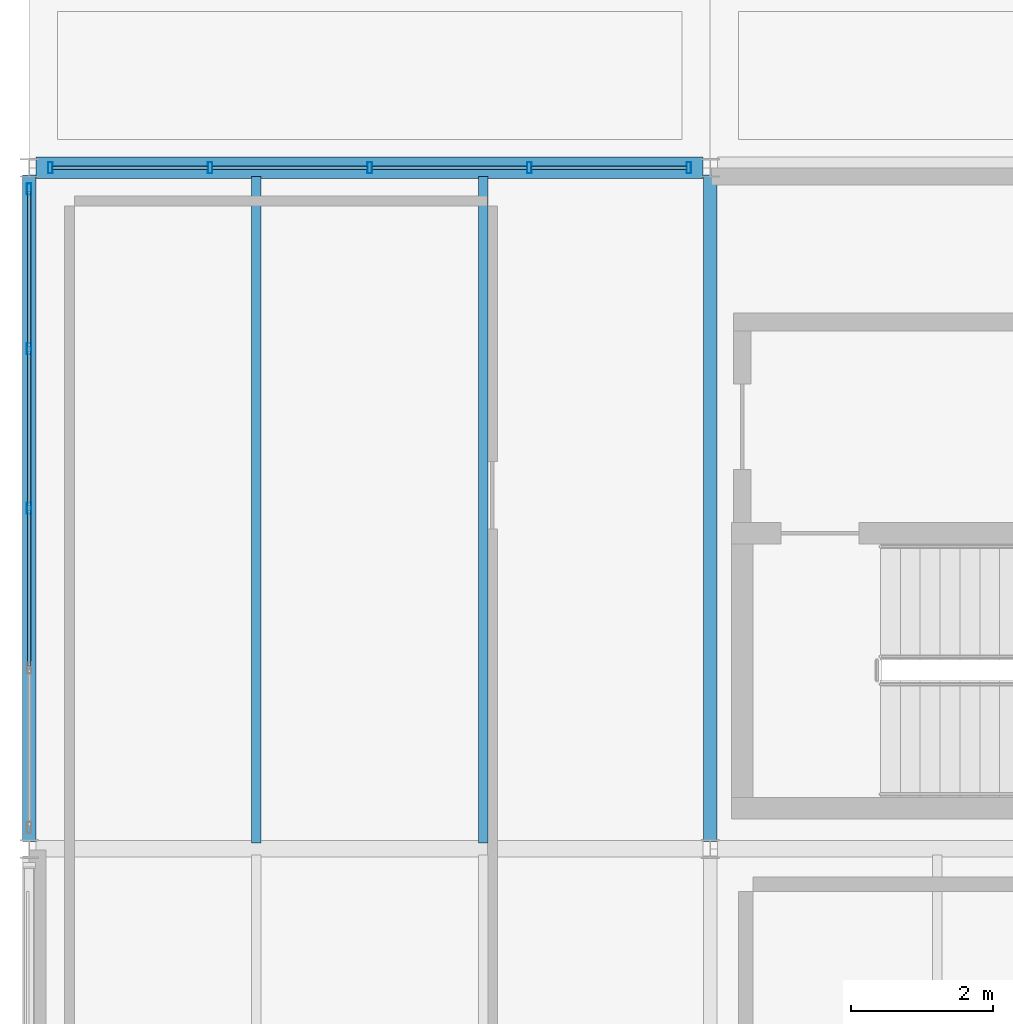
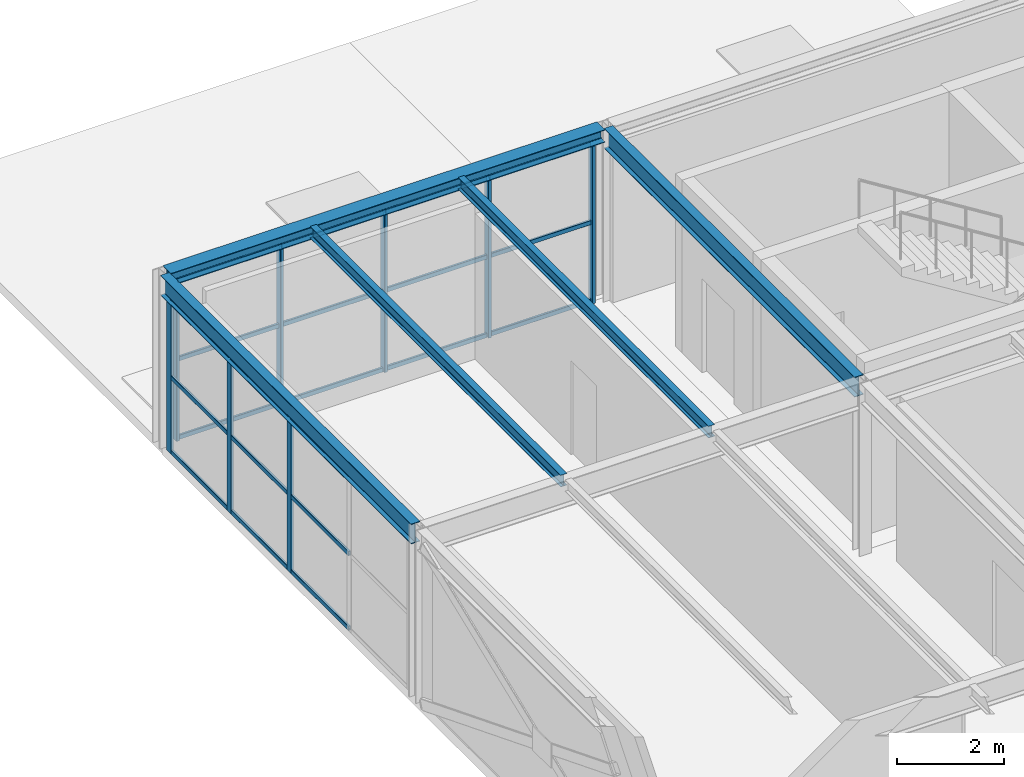
# One storey, part 28 of 39: 29 members, 5 beams, 2 elements without a shape of their own.
"""IFC4 building model written with IfcOpenShell, lengths in metres."""

import ifcopenshell
import ifcopenshell.guid

model = None  # the IFC model being written
_history = None  # IfcOwnerHistory: only IFC2X3 demands one
_inside = {}  # id of a spatial element -> (the spatial element, [elements in it])
_under = {}  # id of a project, library or spatial element -> (it, [spatial elements below it])
_declared = {}  # id of a project -> (the project, [libraries it declares])
_typed = {}  # id of a type object -> (the type object, [elements of that type])
_made_of = {}  # id of a material, layer set ... -> (it, [elements and type objects made of it])


def new_model(schema):
    """Start an empty IFC model of exactly this schema.

    Asked for "IFC4X3", IfcOpenShell would pick the latest addendum, in which some entities
    have other attributes; the version numbers below select the first issue.
    IFC2X3 requires an IfcOwnerHistory on every rooted entity: one is made here for all.
    """
    global model, _history
    if schema == "IFC4X3":
        model = ifcopenshell.file(schema_version=(4, 3, 0, 0))
    else:
        model = ifcopenshell.file(schema=schema)
    _inside.clear()
    _under.clear()
    _declared.clear()
    _typed.clear()
    _made_of.clear()
    _history = None
    if model.schema == "IFC2X3":
        org = make("IfcOrganization", Name="unknown")
        user = make(
            "IfcPersonAndOrganization",
            ThePerson=make("IfcPerson", FamilyName="unknown"),
            TheOrganization=org,
        )
        app = make(
            "IfcApplication",
            ApplicationDeveloper=org,
            Version="unknown",
            ApplicationFullName="unknown",
            ApplicationIdentifier="unknown",
        )
        _history = make(
            "IfcOwnerHistory",
            OwningUser=user,
            OwningApplication=app,
            ChangeAction="ADDED",
            CreationDate=0,
        )
    return model


def make(cls, **values):
    """One entity of the class cls with the attributes given. An attribute that is None is left unset."""
    return model.create_entity(
        cls, **{name: value for name, value in values.items() if value is not None}
    )


def rooted(cls, **values):
    """An entity with a GlobalId (a new one), such as an element, a storey or a relation."""
    return make(cls, GlobalId=ifcopenshell.guid.new(), OwnerHistory=_history, **values)


def si_unit(unit_type, name, prefix=None):
    """IfcSIUnit, for example si_unit("LENGTHUNIT", "METRE", prefix="MILLI")."""
    return make("IfcSIUnit", UnitType=unit_type, Prefix=prefix, Name=name)


def assignment(units):
    """IfcUnitAssignment: the units of a project."""
    return None if units is None else make("IfcUnitAssignment", Units=units)


def point(xyz):
    """IfcCartesianPoint."""
    return None if xyz is None else make("IfcCartesianPoint", Coordinates=xyz)


def direction(xyz):
    """IfcDirection."""
    return None if xyz is None else make("IfcDirection", DirectionRatios=xyz)


def frame(location, z_axis=None, x_axis=None):
    """IfcAxis2Placement3D, a coordinate frame: its origin and axes. An axis left out is left unset."""
    return make(
        "IfcAxis2Placement3D",
        Location=point(location),
        Axis=direction(z_axis),
        RefDirection=direction(x_axis),
    )


def frame_2d(location, x_axis=None):
    """IfcAxis2Placement2D, a coordinate frame in the plane: its origin and x axis."""
    return make(
        "IfcAxis2Placement2D", Location=point(location), RefDirection=direction(x_axis)
    )


def origin():
    """The frame at (0, 0, 0) with its axes left unset."""
    return frame((0.0, 0.0, 0.0))


def origin_2d():
    """The frame at (0, 0) in the plane with its x axis left unset."""
    return frame_2d((0.0, 0.0))


def place(relative_to, where):
    """IfcLocalPlacement: puts the frame where relative to a parent placement (None: the world)."""
    return make(
        "IfcLocalPlacement", PlacementRelTo=relative_to, RelativePlacement=where
    )


def context(
    kind, dimensions, precision=None, world=None, true_north=None, identifier=None
):
    """IfcGeometricRepresentationContext, for example the 3D "Model" context."""
    return make(
        "IfcGeometricRepresentationContext",
        ContextIdentifier=identifier,
        ContextType=kind,
        CoordinateSpaceDimension=dimensions,
        Precision=precision,
        WorldCoordinateSystem=world,
        TrueNorth=true_north,
    )


def subcontext(parent, identifier, kind, view, scale=None):
    """IfcGeometricRepresentationSubContext, for example "Body" below "Model"."""
    return make(
        "IfcGeometricRepresentationSubContext",
        ContextIdentifier=identifier,
        ContextType=kind,
        ParentContext=parent,
        TargetScale=scale,
        TargetView=view,
    )


def project(units=None, contexts=None):
    """IfcProject with its units and contexts."""
    return rooted(
        "IfcProject",
        Name="project",
        RepresentationContexts=contexts,
        UnitsInContext=assignment(units),
    )


def spatial(cls, under=None, at=None, **own):
    """A site, building, storey or space (cls), placed at a placement, below another one or the project."""
    s = rooted(cls, ObjectPlacement=at, **own)
    if under is not None:
        _under.setdefault(under.id(), (under, []))[1].append(s)
    return s


def profile(cls, at=None, kind="AREA", **sizes):
    """A parametric profile (cls). Its sizes go by their IFC names, for example OverallWidth=200.0."""
    return make(cls, ProfileType=kind, Position=at, **sizes)


def hollow_rectangle(**sizes):
    """IfcRectangleHollowProfileDef."""
    return profile("IfcRectangleHollowProfileDef", **sizes)


def i_section(**sizes):
    """IfcIShapeProfileDef."""
    return profile("IfcIShapeProfileDef", **sizes)


def extrude(swept, where, along, depth):
    """IfcExtrudedAreaSolid: the profile swept, set in the frame where, extruded along a direction by depth."""
    return make(
        "IfcExtrudedAreaSolid",
        SweptArea=swept,
        Position=where,
        ExtrudedDirection=direction(along),
        Depth=depth,
    )


def shape(context_of_items, identifier, shape_type, items):
    """IfcShapeRepresentation: the items that make up one representation, for example the "Body"."""
    return make(
        "IfcShapeRepresentation",
        ContextOfItems=context_of_items,
        RepresentationIdentifier=identifier,
        RepresentationType=shape_type,
        Items=items,
    )


def material(Name=None, Category=None):
    """IfcMaterial."""
    return make("IfcMaterial", Name=Name, Category=Category)


def material_profile(
    of_material, cross_section, Name=None, Category=None, Priority=None
):
    """IfcMaterialProfile: a cross section and its material."""
    return make(
        "IfcMaterialProfile",
        Name=Name,
        Material=of_material,
        Profile=cross_section,
        Priority=Priority,
        Category=Category,
    )


def profile_set(profiles, Name=None, composite=None):
    """IfcMaterialProfileSet."""
    return make(
        "IfcMaterialProfileSet",
        Name=Name,
        MaterialProfiles=profiles,
        CompositeProfile=composite,
    )


def made_of(thing, what):
    """Note that an element or type object is made of a material, layer set ...; save() writes the relation."""
    if what is not None:
        _made_of.setdefault(what.id(), (what, []))[1].append(thing)
    return thing


def type_object(cls, material=None, **own):
    """A type object (cls), such as IfcWallType, which elements share."""
    return made_of(rooted(cls, **own), material)


def element(
    cls,
    number,
    at=None,
    inside=None,
    cuts=None,
    type_object=None,
    material=None,
    context=None,
    identifier="Body",
    shape_type=None,
    held_by="IfcProductDefinitionShape",
    body=None,
    shapes=None,
    **own,
):
    """One element of the class cls, such as IfcWall. Its Tag is "e" and its number.

    at: its placement. inside: the storey or other place that contains it. cuts: it is an
    opening in that element (IfcRelVoidsElement). A single representation is given by context,
    identifier, shape_type and body (its items); several are given by shapes. held_by: the class
    of the entity that holds the representations. save() writes the other relations.
    """
    e = rooted(cls, Tag="e%d" % number, ObjectPlacement=at, **own)
    if body is not None:
        shapes = [shape(context, identifier, shape_type, body)]
    if shapes is not None:
        e.Representation = make(held_by, Representations=shapes)
    if inside is not None:
        _inside.setdefault(inside.id(), (inside, []))[1].append(e)
    if cuts is not None:
        rooted(
            "IfcRelVoidsElement", RelatingBuildingElement=cuts, RelatedOpeningElement=e
        )
    if type_object is not None:
        _typed.setdefault(type_object.id(), (type_object, []))[1].append(e)
    return made_of(e, material)


def aggregate(whole, parts):
    """IfcRelAggregates: a whole, such as a stair, and the parts it consists of."""
    return rooted("IfcRelAggregates", RelatingObject=whole, RelatedObjects=parts)


def save(model, path):
    """Write the relations noted so far, then the file.

    IfcRelAggregates (storeys below a building ...), IfcRelContainedInSpatialStructure (elements
    in a storey), IfcRelDefinesByType, IfcRelAssociatesMaterial and IfcRelDeclares: one each for
    every whole, place, type object, material and project.
    """
    for whole, parts in _under.values():
        aggregate(whole, parts)
    for where, things in _inside.values():
        rooted(
            "IfcRelContainedInSpatialStructure",
            RelatedElements=things,
            RelatingStructure=where,
        )
    for kind, things in _typed.values():
        rooted("IfcRelDefinesByType", RelatedObjects=things, RelatingType=kind)
    for what, things in _made_of.values():
        rooted("IfcRelAssociatesMaterial", RelatedObjects=things, RelatingMaterial=what)
    for by, libraries in _declared.values():
        rooted("IfcRelDeclares", RelatingContext=by, RelatedDefinitions=libraries)
    model.write(path)


model = new_model("IFC4")

# Units and contexts
model_context = context("Model", 3, precision=1e-05, world=origin(), true_north=direction((0.0, 1.0)))
body_context = subcontext(model_context, "Body", "Model", "MODEL_VIEW")
ifc_project = project(units=[si_unit("LENGTHUNIT", "METRE"), si_unit("AREAUNIT", "SQUARE_METRE"), si_unit("VOLUMEUNIT", "CUBIC_METRE"), si_unit("PLANEANGLEUNIT", "RADIAN"), si_unit("MASSUNIT", "GRAM", prefix="KILO")], contexts=[model_context])

# Site, building, storey
site_placement = place(None, origin())
site = spatial("IfcSite", under=ifc_project, at=site_placement, CompositionType="ELEMENT")
building_placement = place(site_placement, origin())
building = spatial("IfcBuilding", under=site, at=building_placement, Name="Coralgate Yard Interchange", CompositionType="ELEMENT")
storey_placement = place(building_placement, frame((0.0, 0.0, 18.89990234375)))
storey = spatial("IfcBuildingStorey", under=building, at=storey_placement, Name="L04", CompositionType="ELEMENT", Elevation=18.89990234375)

# Beams
ifc_material_1 = material(Name="Structural steel S355J2", Category="steel")
ifc_material_profile_1 = material_profile(ifc_material_1, i_section(OverallWidth=0.1904296875, OverallDepth=0.45703125, WebThickness=0.009033203125, FlangeThickness=0.014404296875, FilletRadius=0.01025390625, at=origin_2d()), Name="UB 457x191x74")
ifc_profile_set_1 = profile_set([ifc_material_profile_1], Name="Structural steel S355J2")
beam_type_1 = type_object("IfcBeamType", Name="BM-SB-2", PredefinedType="BEAM", material=ifc_profile_set_1)
for number, where, z_axis, x_axis, name in (
    (1, (0.0, 28.9033203125, 3.7216796875), (0.0, 1.0, 0.0), (-1.0, 0.0, 0.0), "L04 primary grid girder X0 Y3-4"),
    (2, (9.60009765625, 28.9033203125, 3.7216796875), (0.0, 1.0, 0.0), (-1.0, 0.0, 0.0), "L04 primary grid girder X1 Y3-4"),
):
    element("IfcBeam", number, at=place(storey_placement, frame(where, z_axis=z_axis, x_axis=x_axis)), inside=storey, type_object=beam_type_1, Name=name, PredefinedType="BEAM", context=body_context, shape_type="SweptSolid", body=[
        extrude(i_section(OverallWidth=0.1904296875, OverallDepth=0.45703125, WebThickness=0.009033203125, FlangeThickness=0.014404296875, FilletRadius=0.01025390625, at=origin_2d()), origin(), (0.0, 0.0, 1.0), 9.393310546875),
    ])
ifc_material_profile_2 = material_profile(ifc_material_1, i_section(OverallWidth=0.135009765625, OverallDepth=0.27001953125, WebThickness=0.006591796875, FlangeThickness=0.01025390625, FilletRadius=0.014892578125, at=origin_2d()), Name="IPE 270")
ifc_profile_set_2 = profile_set([ifc_material_profile_2], Name="Structural steel S355J2")
beam_type_2 = type_object("IfcBeamType", Name="BM-SJ-3", PredefinedType="JOIST", material=ifc_profile_set_2)
for number, where, z_axis, x_axis, name in (
    (3, (3.199951171875, 28.884033203125, 3.815185546875), (0.0, 1.0, 0.0), (-1.0, 0.0, 0.0), "L04 composite floor joist 0-3-1"),
    (4, (6.39990234375, 28.884033203125, 3.815185546875), (0.0, 1.0, 0.0), (-1.0, 0.0, 0.0), "L04 composite floor joist 0-3-2"),
):
    element("IfcBeam", number, at=place(storey_placement, frame(where, z_axis=z_axis, x_axis=x_axis)), inside=storey, type_object=beam_type_2, Name=name, PredefinedType="JOIST", context=body_context, shape_type="SweptSolid", body=[
        extrude(i_section(OverallWidth=0.135009765625, OverallDepth=0.27001953125, WebThickness=0.006591796875, FlangeThickness=0.01025390625, FilletRadius=0.014892578125, at=origin_2d()), origin(), (0.0, 0.0, 1.0), 9.39599609375),
    ])
ifc_material_profile_3 = material_profile(ifc_material_1, i_section(OverallWidth=0.300048828125, OverallDepth=0.2900390625, WebThickness=0.008544921875, FlangeThickness=0.013916015625, FilletRadius=0.027099609375, at=origin_2d()), Name="HEA 300")
ifc_profile_set_3 = profile_set([ifc_material_profile_3], Name="Structural steel S355J2")
beam_type_3 = type_object("IfcBeamType", Name="BM-SP-2", PredefinedType="SPANDREL", material=ifc_profile_set_3)
beam_placement = place(storey_placement, frame((0.099365234375, 38.39990234375, 3.80517578125), z_axis=(1.0, 0.0, 0.0), x_axis=(0.0, 1.0, 0.0)))
element("IfcBeam", 5, at=beam_placement, inside=storey, type_object=beam_type_3, Name="L04 primary grid beam Y4 X0-1", PredefinedType="SPANDREL", context=body_context, shape_type="SweptSolid", body=[
    extrude(i_section(OverallWidth=0.300048828125, OverallDepth=0.2900390625, WebThickness=0.008544921875, FlangeThickness=0.013916015625, FilletRadius=0.027099609375, at=origin_2d()), origin(), (0.0, 0.0, 1.0), 9.401123046875),
])

# Curtain wall, members
ifc_material_2 = material(Name="Anodised coastal aluminium and solar-control low-E glass", Category="aluminium")
curtain_wall_type = type_object("IfcCurtainWallType", Name="CW-CW-L04-A", PredefinedType="NOTDEFINED", material=ifc_material_2)
curtain_wall_1_placement = place(storey_placement, origin())
curtain_wall_1 = element("IfcCurtainWall", 6, at=curtain_wall_1_placement, inside=storey, type_object=curtain_wall_type, Name="L04 unitised curtain wall CW-L04-W-00-03", PredefinedType="NOTDEFINED")
ifc_material_3 = material(Name="Anodised coastal aluminium 6063-T6", Category="aluminium")
ifc_material_profile_4 = material_profile(ifc_material_3, hollow_rectangle(XDim=0.06494140625, YDim=0.159912109375, WallThickness=0.00390625, InnerFilletRadius=0.00390625, OuterFilletRadius=0.008056640625, at=origin_2d()), Name="ALU 65x160x4")
ifc_profile_set_4 = profile_set([ifc_material_profile_4], Name="Anodised coastal aluminium 6063-T6")
member_type_1 = type_object("IfcMemberType", Name="MB-MUL-160", PredefinedType="MULLION", material=ifc_profile_set_4)
member_1_placement = place(storey_placement, frame((0.0, 33.60009765625, 0.0), z_axis=(0.0, 0.0, 1.0), x_axis=(1.0, 0.0, 0.0)))
member_1 = element("IfcMember", 7, at=member_1_placement, type_object=member_type_1, Name="CW-L04-W-00-03 vertical mullion 3", PredefinedType="MULLION", context=body_context, shape_type="SweptSolid", body=[
    extrude(hollow_rectangle(XDim=0.06494140625, YDim=0.159912109375, WallThickness=0.00390625, InnerFilletRadius=0.00390625, OuterFilletRadius=0.008056640625, at=origin_2d()), origin(), (0.0, 0.0, 1.0), 3.4931640625),
])
member_2_placement = place(storey_placement, frame((0.0, 35.85009765625, 0.0), z_axis=(0.0, 0.0, 1.0), x_axis=(1.0, 0.0, 0.0)))
member_2 = element("IfcMember", 8, at=member_2_placement, type_object=member_type_1, Name="CW-L04-W-00-03 vertical mullion 4", PredefinedType="MULLION", context=body_context, shape_type="SweptSolid", body=[
    extrude(hollow_rectangle(XDim=0.06494140625, YDim=0.159912109375, WallThickness=0.00390625, InnerFilletRadius=0.00390625, OuterFilletRadius=0.008056640625, at=origin_2d()), origin(), (0.0, 0.0, 1.0), 3.4931640625),
])
member_3_placement = place(storey_placement, frame((0.0, 38.10009765625, 0.0), z_axis=(0.0, 0.0, 1.0), x_axis=(1.0, 0.0, 0.0)))
member_3 = element("IfcMember", 9, at=member_3_placement, type_object=member_type_1, Name="CW-L04-W-00-03 vertical mullion 5", PredefinedType="MULLION", context=body_context, shape_type="SweptSolid", body=[
    extrude(hollow_rectangle(XDim=0.06494140625, YDim=0.159912109375, WallThickness=0.00390625, InnerFilletRadius=0.00390625, OuterFilletRadius=0.008056640625, at=origin_2d()), origin(), (0.0, 0.0, 1.0), 3.4931640625),
])

curtain_wall_2_placement = place(storey_placement, origin())
curtain_wall_2 = element("IfcCurtainWall", 10, at=curtain_wall_2_placement, inside=storey, type_object=curtain_wall_type, Name="L04 unitised curtain wall CW-L04-N-00-03", PredefinedType="NOTDEFINED")
member_4_placement = place(storey_placement, frame((0.300048828125, 38.39990234375, 0.0), z_axis=(0.0, 0.0, 1.0), x_axis=(1.0, 0.0, 0.0)))
member_4 = element("IfcMember", 11, at=member_4_placement, type_object=member_type_1, Name="CW-L04-N-00-03 vertical mullion 1", PredefinedType="MULLION", context=body_context, shape_type="SweptSolid", body=[
    extrude(hollow_rectangle(XDim=0.06494140625, YDim=0.159912109375, WallThickness=0.00390625, InnerFilletRadius=0.00390625, OuterFilletRadius=0.008056640625, at=origin_2d()), origin(), (0.0, 0.0, 1.0), 3.66015625),
])
member_5_placement = place(storey_placement, frame((2.550048828125, 38.39990234375, 0.0), z_axis=(0.0, 0.0, 1.0), x_axis=(1.0, 0.0, 0.0)))
member_5 = element("IfcMember", 12, at=member_5_placement, type_object=member_type_1, Name="CW-L04-N-00-03 vertical mullion 2", PredefinedType="MULLION", context=body_context, shape_type="SweptSolid", body=[
    extrude(hollow_rectangle(XDim=0.06494140625, YDim=0.159912109375, WallThickness=0.00390625, InnerFilletRadius=0.00390625, OuterFilletRadius=0.008056640625, at=origin_2d()), origin(), (0.0, 0.0, 1.0), 3.66015625),
])
member_6_placement = place(storey_placement, frame((4.800048828125, 38.39990234375, 0.0), z_axis=(0.0, 0.0, 1.0), x_axis=(1.0, 0.0, 0.0)))
member_6 = element("IfcMember", 13, at=member_6_placement, type_object=member_type_1, Name="CW-L04-N-00-03 vertical mullion 3", PredefinedType="MULLION", context=body_context, shape_type="SweptSolid", body=[
    extrude(hollow_rectangle(XDim=0.06494140625, YDim=0.159912109375, WallThickness=0.00390625, InnerFilletRadius=0.00390625, OuterFilletRadius=0.008056640625, at=origin_2d()), origin(), (0.0, 0.0, 1.0), 3.66015625),
])
member_7_placement = place(storey_placement, frame((7.050048828125, 38.39990234375, 0.0), z_axis=(0.0, 0.0, 1.0), x_axis=(1.0, 0.0, 0.0)))
member_7 = element("IfcMember", 14, at=member_7_placement, type_object=member_type_1, Name="CW-L04-N-00-03 vertical mullion 4", PredefinedType="MULLION", context=body_context, shape_type="SweptSolid", body=[
    extrude(hollow_rectangle(XDim=0.06494140625, YDim=0.159912109375, WallThickness=0.00390625, InnerFilletRadius=0.00390625, OuterFilletRadius=0.008056640625, at=origin_2d()), origin(), (0.0, 0.0, 1.0), 3.66015625),
])
member_8_placement = place(storey_placement, frame((9.300048828125, 38.39990234375, 0.0), z_axis=(0.0, 0.0, 1.0), x_axis=(1.0, 0.0, 0.0)))
member_8 = element("IfcMember", 15, at=member_8_placement, type_object=member_type_1, Name="CW-L04-N-00-03 vertical mullion 5", PredefinedType="MULLION", context=body_context, shape_type="SweptSolid", body=[
    extrude(hollow_rectangle(XDim=0.06494140625, YDim=0.159912109375, WallThickness=0.00390625, InnerFilletRadius=0.00390625, OuterFilletRadius=0.008056640625, at=origin_2d()), origin(), (0.0, 0.0, 1.0), 3.66015625),
])

# Member
ifc_material_profile_5 = material_profile(ifc_material_3, hollow_rectangle(XDim=0.050048828125, YDim=0.10009765625, WallThickness=0.0029296875, InnerFilletRadius=0.0029296875, OuterFilletRadius=0.006103515625, at=origin_2d()), Name="ALU 50x100x3")
ifc_profile_set_5 = profile_set([ifc_material_profile_5], Name="Anodised coastal aluminium 6063-T6")
member_type_2 = type_object("IfcMemberType", Name="MB-TRN-100", PredefinedType="USERDEFINED", material=ifc_profile_set_5)
member_9_placement = place(storey_placement, frame((0.0, 31.3798828125, 0.03515625), z_axis=(0.0, 1.0, 0.0), x_axis=(-1.0, 0.0, 0.0)))
member_9 = element("IfcMember", 16, at=member_9_placement, type_object=member_type_2, Name="CW-L04-W-00-03 horizontal transom 2-1", ObjectType="TRANSOM", PredefinedType="USERDEFINED", context=body_context, shape_type="SweptSolid", body=[
    extrude(hollow_rectangle(XDim=0.050048828125, YDim=0.10009765625, WallThickness=0.0029296875, InnerFilletRadius=0.0029296875, OuterFilletRadius=0.006103515625, at=origin_2d()), origin(), (0.0, 0.0, 1.0), 2.190185546875),
])

member_10_placement = place(storey_placement, frame((0.0, 31.3798828125, 1.74658203125), z_axis=(0.0, 1.0, 0.0), x_axis=(-1.0, 0.0, 0.0)))
member_10 = element("IfcMember", 17, at=member_10_placement, type_object=member_type_2, Name="CW-L04-W-00-03 horizontal transom 2-2", ObjectType="TRANSOM", PredefinedType="USERDEFINED", context=body_context, shape_type="SweptSolid", body=[
    extrude(hollow_rectangle(XDim=0.050048828125, YDim=0.10009765625, WallThickness=0.0029296875, InnerFilletRadius=0.0029296875, OuterFilletRadius=0.006103515625, at=origin_2d()), origin(), (0.0, 0.0, 1.0), 2.190185546875),
])

member_11_placement = place(storey_placement, frame((0.0, 31.3798828125, 3.4580078125), z_axis=(0.0, 1.0, 0.0), x_axis=(-1.0, 0.0, 0.0)))
member_11 = element("IfcMember", 18, at=member_11_placement, type_object=member_type_2, Name="CW-L04-W-00-03 horizontal transom 2-3", ObjectType="TRANSOM", PredefinedType="USERDEFINED", context=body_context, shape_type="SweptSolid", body=[
    extrude(hollow_rectangle(XDim=0.050048828125, YDim=0.10009765625, WallThickness=0.0029296875, InnerFilletRadius=0.0029296875, OuterFilletRadius=0.006103515625, at=origin_2d()), origin(), (0.0, 0.0, 1.0), 2.190185546875),
])

member_12_placement = place(storey_placement, frame((0.0, 33.6298828125, 0.03515625), z_axis=(0.0, 1.0, 0.0), x_axis=(-1.0, 0.0, 0.0)))
member_12 = element("IfcMember", 19, at=member_12_placement, type_object=member_type_2, Name="CW-L04-W-00-03 horizontal transom 3-1", ObjectType="TRANSOM", PredefinedType="USERDEFINED", context=body_context, shape_type="SweptSolid", body=[
    extrude(hollow_rectangle(XDim=0.050048828125, YDim=0.10009765625, WallThickness=0.0029296875, InnerFilletRadius=0.0029296875, OuterFilletRadius=0.006103515625, at=origin_2d()), origin(), (0.0, 0.0, 1.0), 2.190185546875),
])

member_13_placement = place(storey_placement, frame((0.0, 33.6298828125, 1.74658203125), z_axis=(0.0, 1.0, 0.0), x_axis=(-1.0, 0.0, 0.0)))
member_13 = element("IfcMember", 20, at=member_13_placement, type_object=member_type_2, Name="CW-L04-W-00-03 horizontal transom 3-2", ObjectType="TRANSOM", PredefinedType="USERDEFINED", context=body_context, shape_type="SweptSolid", body=[
    extrude(hollow_rectangle(XDim=0.050048828125, YDim=0.10009765625, WallThickness=0.0029296875, InnerFilletRadius=0.0029296875, OuterFilletRadius=0.006103515625, at=origin_2d()), origin(), (0.0, 0.0, 1.0), 2.190185546875),
])

member_14_placement = place(storey_placement, frame((0.0, 33.6298828125, 3.4580078125), z_axis=(0.0, 1.0, 0.0), x_axis=(-1.0, 0.0, 0.0)))
member_14 = element("IfcMember", 21, at=member_14_placement, type_object=member_type_2, Name="CW-L04-W-00-03 horizontal transom 3-3", ObjectType="TRANSOM", PredefinedType="USERDEFINED", context=body_context, shape_type="SweptSolid", body=[
    extrude(hollow_rectangle(XDim=0.050048828125, YDim=0.10009765625, WallThickness=0.0029296875, InnerFilletRadius=0.0029296875, OuterFilletRadius=0.006103515625, at=origin_2d()), origin(), (0.0, 0.0, 1.0), 2.190185546875),
])

member_15_placement = place(storey_placement, frame((0.0, 35.8798828125, 0.03515625), z_axis=(0.0, 1.0, 0.0), x_axis=(-1.0, 0.0, 0.0)))
member_15 = element("IfcMember", 22, at=member_15_placement, type_object=member_type_2, Name="CW-L04-W-00-03 horizontal transom 4-1", ObjectType="TRANSOM", PredefinedType="USERDEFINED", context=body_context, shape_type="SweptSolid", body=[
    extrude(hollow_rectangle(XDim=0.050048828125, YDim=0.10009765625, WallThickness=0.0029296875, InnerFilletRadius=0.0029296875, OuterFilletRadius=0.006103515625, at=origin_2d()), origin(), (0.0, 0.0, 1.0), 2.190185546875),
])

member_16_placement = place(storey_placement, frame((0.0, 35.8798828125, 1.74658203125), z_axis=(0.0, 1.0, 0.0), x_axis=(-1.0, 0.0, 0.0)))
member_16 = element("IfcMember", 23, at=member_16_placement, type_object=member_type_2, Name="CW-L04-W-00-03 horizontal transom 4-2", ObjectType="TRANSOM", PredefinedType="USERDEFINED", context=body_context, shape_type="SweptSolid", body=[
    extrude(hollow_rectangle(XDim=0.050048828125, YDim=0.10009765625, WallThickness=0.0029296875, InnerFilletRadius=0.0029296875, OuterFilletRadius=0.006103515625, at=origin_2d()), origin(), (0.0, 0.0, 1.0), 2.190185546875),
])

member_17_placement = place(storey_placement, frame((0.0, 35.8798828125, 3.4580078125), z_axis=(0.0, 1.0, 0.0), x_axis=(-1.0, 0.0, 0.0)))
member_17 = element("IfcMember", 24, at=member_17_placement, type_object=member_type_2, Name="CW-L04-W-00-03 horizontal transom 4-3", ObjectType="TRANSOM", PredefinedType="USERDEFINED", context=body_context, shape_type="SweptSolid", body=[
    extrude(hollow_rectangle(XDim=0.050048828125, YDim=0.10009765625, WallThickness=0.0029296875, InnerFilletRadius=0.0029296875, OuterFilletRadius=0.006103515625, at=origin_2d()), origin(), (0.0, 0.0, 1.0), 2.190185546875),
])

aggregate(curtain_wall_1, [member_1, member_2, member_3, member_9, member_10, member_11, member_12, member_13, member_14, member_15, member_16, member_17])

member_18_placement = place(storey_placement, frame((0.330078125, 38.39990234375, 0.03515625), z_axis=(1.0, 0.0, 0.0), x_axis=(0.0, 1.0, 0.0)))
member_18 = element("IfcMember", 25, at=member_18_placement, type_object=member_type_2, Name="CW-L04-N-00-03 horizontal transom 1-1", ObjectType="TRANSOM", PredefinedType="USERDEFINED", context=body_context, shape_type="SweptSolid", body=[
    extrude(hollow_rectangle(XDim=0.050048828125, YDim=0.10009765625, WallThickness=0.0029296875, InnerFilletRadius=0.0029296875, OuterFilletRadius=0.006103515625, at=origin_2d()), origin(), (0.0, 0.0, 1.0), 2.18994140625),
])

member_19_placement = place(storey_placement, frame((0.330078125, 38.39990234375, 1.830078125), z_axis=(1.0, 0.0, 0.0), x_axis=(0.0, 1.0, 0.0)))
member_19 = element("IfcMember", 26, at=member_19_placement, type_object=member_type_2, Name="CW-L04-N-00-03 horizontal transom 1-2", ObjectType="TRANSOM", PredefinedType="USERDEFINED", context=body_context, shape_type="SweptSolid", body=[
    extrude(hollow_rectangle(XDim=0.050048828125, YDim=0.10009765625, WallThickness=0.0029296875, InnerFilletRadius=0.0029296875, OuterFilletRadius=0.006103515625, at=origin_2d()), origin(), (0.0, 0.0, 1.0), 2.18994140625),
])

member_20_placement = place(storey_placement, frame((0.330078125, 38.39990234375, 3.625), z_axis=(1.0, 0.0, 0.0), x_axis=(0.0, 1.0, 0.0)))
member_20 = element("IfcMember", 27, at=member_20_placement, type_object=member_type_2, Name="CW-L04-N-00-03 horizontal transom 1-3", ObjectType="TRANSOM", PredefinedType="USERDEFINED", context=body_context, shape_type="SweptSolid", body=[
    extrude(hollow_rectangle(XDim=0.050048828125, YDim=0.10009765625, WallThickness=0.0029296875, InnerFilletRadius=0.0029296875, OuterFilletRadius=0.006103515625, at=origin_2d()), origin(), (0.0, 0.0, 1.0), 2.18994140625),
])

member_21_placement = place(storey_placement, frame((2.580078125, 38.39990234375, 0.03515625), z_axis=(1.0, 0.0, 0.0), x_axis=(0.0, 1.0, 0.0)))
member_21 = element("IfcMember", 28, at=member_21_placement, type_object=member_type_2, Name="CW-L04-N-00-03 horizontal transom 2-1", ObjectType="TRANSOM", PredefinedType="USERDEFINED", context=body_context, shape_type="SweptSolid", body=[
    extrude(hollow_rectangle(XDim=0.050048828125, YDim=0.10009765625, WallThickness=0.0029296875, InnerFilletRadius=0.0029296875, OuterFilletRadius=0.006103515625, at=origin_2d()), origin(), (0.0, 0.0, 1.0), 2.18994140625),
])

member_22_placement = place(storey_placement, frame((2.580078125, 38.39990234375, 1.830078125), z_axis=(1.0, 0.0, 0.0), x_axis=(0.0, 1.0, 0.0)))
member_22 = element("IfcMember", 29, at=member_22_placement, type_object=member_type_2, Name="CW-L04-N-00-03 horizontal transom 2-2", ObjectType="TRANSOM", PredefinedType="USERDEFINED", context=body_context, shape_type="SweptSolid", body=[
    extrude(hollow_rectangle(XDim=0.050048828125, YDim=0.10009765625, WallThickness=0.0029296875, InnerFilletRadius=0.0029296875, OuterFilletRadius=0.006103515625, at=origin_2d()), origin(), (0.0, 0.0, 1.0), 2.18994140625),
])

member_23_placement = place(storey_placement, frame((2.580078125, 38.39990234375, 3.625), z_axis=(1.0, 0.0, 0.0), x_axis=(0.0, 1.0, 0.0)))
member_23 = element("IfcMember", 30, at=member_23_placement, type_object=member_type_2, Name="CW-L04-N-00-03 horizontal transom 2-3", ObjectType="TRANSOM", PredefinedType="USERDEFINED", context=body_context, shape_type="SweptSolid", body=[
    extrude(hollow_rectangle(XDim=0.050048828125, YDim=0.10009765625, WallThickness=0.0029296875, InnerFilletRadius=0.0029296875, OuterFilletRadius=0.006103515625, at=origin_2d()), origin(), (0.0, 0.0, 1.0), 2.18994140625),
])

member_24_placement = place(storey_placement, frame((4.830078125, 38.39990234375, 0.03515625), z_axis=(1.0, 0.0, 0.0), x_axis=(0.0, 1.0, 0.0)))
member_24 = element("IfcMember", 31, at=member_24_placement, type_object=member_type_2, Name="CW-L04-N-00-03 horizontal transom 3-1", ObjectType="TRANSOM", PredefinedType="USERDEFINED", context=body_context, shape_type="SweptSolid", body=[
    extrude(hollow_rectangle(XDim=0.050048828125, YDim=0.10009765625, WallThickness=0.0029296875, InnerFilletRadius=0.0029296875, OuterFilletRadius=0.006103515625, at=origin_2d()), origin(), (0.0, 0.0, 1.0), 2.18994140625),
])

member_25_placement = place(storey_placement, frame((4.830078125, 38.39990234375, 1.830078125), z_axis=(1.0, 0.0, 0.0), x_axis=(0.0, 1.0, 0.0)))
member_25 = element("IfcMember", 32, at=member_25_placement, type_object=member_type_2, Name="CW-L04-N-00-03 horizontal transom 3-2", ObjectType="TRANSOM", PredefinedType="USERDEFINED", context=body_context, shape_type="SweptSolid", body=[
    extrude(hollow_rectangle(XDim=0.050048828125, YDim=0.10009765625, WallThickness=0.0029296875, InnerFilletRadius=0.0029296875, OuterFilletRadius=0.006103515625, at=origin_2d()), origin(), (0.0, 0.0, 1.0), 2.18994140625),
])

member_26_placement = place(storey_placement, frame((4.830078125, 38.39990234375, 3.625), z_axis=(1.0, 0.0, 0.0), x_axis=(0.0, 1.0, 0.0)))
member_26 = element("IfcMember", 33, at=member_26_placement, type_object=member_type_2, Name="CW-L04-N-00-03 horizontal transom 3-3", ObjectType="TRANSOM", PredefinedType="USERDEFINED", context=body_context, shape_type="SweptSolid", body=[
    extrude(hollow_rectangle(XDim=0.050048828125, YDim=0.10009765625, WallThickness=0.0029296875, InnerFilletRadius=0.0029296875, OuterFilletRadius=0.006103515625, at=origin_2d()), origin(), (0.0, 0.0, 1.0), 2.18994140625),
])

member_27_placement = place(storey_placement, frame((7.080078125, 38.39990234375, 0.03515625), z_axis=(1.0, 0.0, 0.0), x_axis=(0.0, 1.0, 0.0)))
member_27 = element("IfcMember", 34, at=member_27_placement, type_object=member_type_2, Name="CW-L04-N-00-03 horizontal transom 4-1", ObjectType="TRANSOM", PredefinedType="USERDEFINED", context=body_context, shape_type="SweptSolid", body=[
    extrude(hollow_rectangle(XDim=0.050048828125, YDim=0.10009765625, WallThickness=0.0029296875, InnerFilletRadius=0.0029296875, OuterFilletRadius=0.006103515625, at=origin_2d()), origin(), (0.0, 0.0, 1.0), 2.18994140625),
])

member_28_placement = place(storey_placement, frame((7.080078125, 38.39990234375, 1.830078125), z_axis=(1.0, 0.0, 0.0), x_axis=(0.0, 1.0, 0.0)))
member_28 = element("IfcMember", 35, at=member_28_placement, type_object=member_type_2, Name="CW-L04-N-00-03 horizontal transom 4-2", ObjectType="TRANSOM", PredefinedType="USERDEFINED", context=body_context, shape_type="SweptSolid", body=[
    extrude(hollow_rectangle(XDim=0.050048828125, YDim=0.10009765625, WallThickness=0.0029296875, InnerFilletRadius=0.0029296875, OuterFilletRadius=0.006103515625, at=origin_2d()), origin(), (0.0, 0.0, 1.0), 2.18994140625),
])

member_29_placement = place(storey_placement, frame((7.080078125, 38.39990234375, 3.625), z_axis=(1.0, 0.0, 0.0), x_axis=(0.0, 1.0, 0.0)))
member_29 = element("IfcMember", 36, at=member_29_placement, type_object=member_type_2, Name="CW-L04-N-00-03 horizontal transom 4-3", ObjectType="TRANSOM", PredefinedType="USERDEFINED", context=body_context, shape_type="SweptSolid", body=[
    extrude(hollow_rectangle(XDim=0.050048828125, YDim=0.10009765625, WallThickness=0.0029296875, InnerFilletRadius=0.0029296875, OuterFilletRadius=0.006103515625, at=origin_2d()), origin(), (0.0, 0.0, 1.0), 2.18994140625),
])

aggregate(curtain_wall_2, [member_4, member_5, member_6, member_7, member_8, member_18, member_19, member_20, member_21, member_22, member_23, member_24, member_25, member_26, member_27, member_28, member_29])

save(model, "model.ifc")
